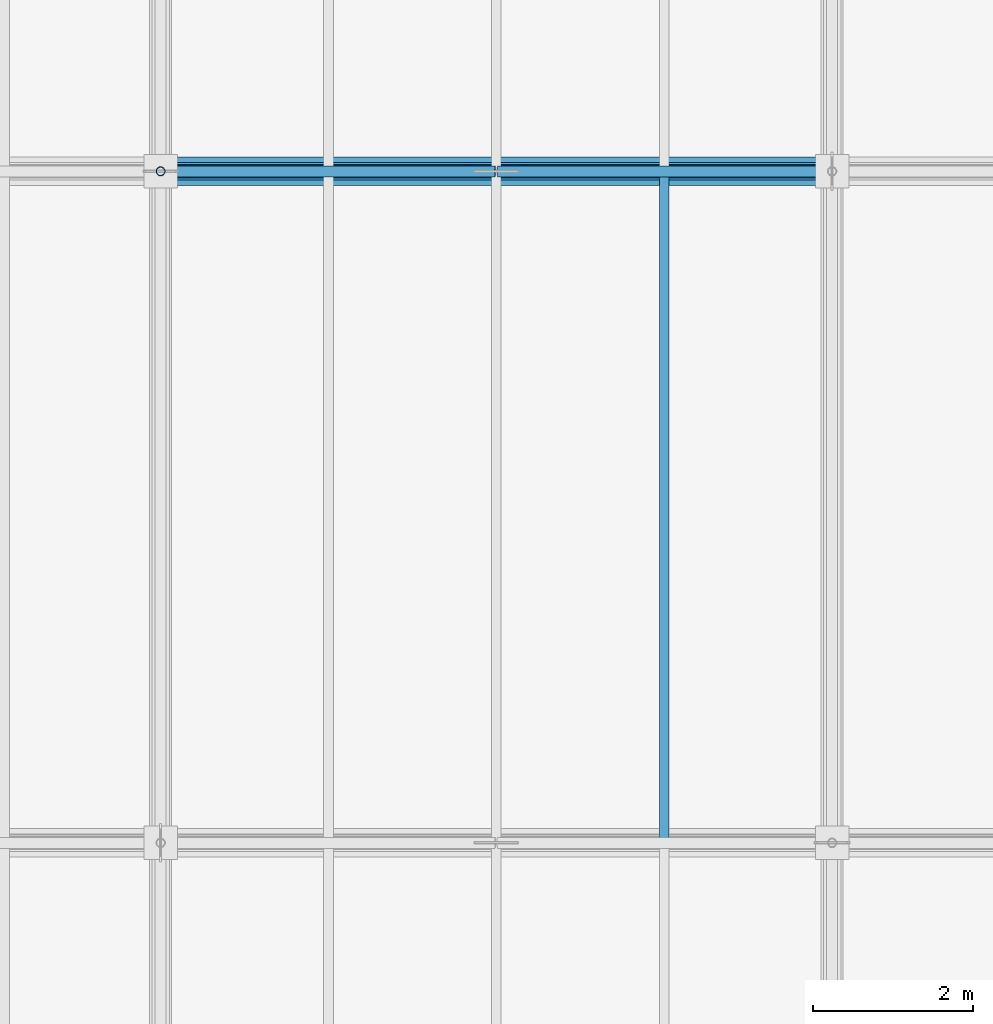
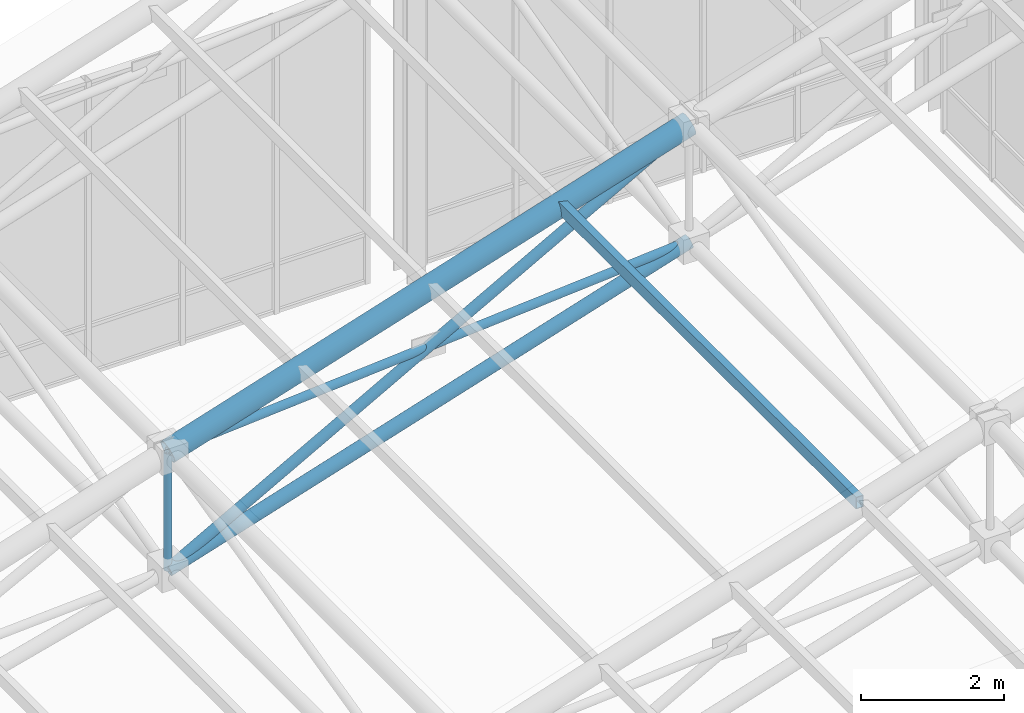
# One storey, part 62 of 144: 7 members.
"""IFC4 building model written with IfcOpenShell, lengths in metres."""

from ifc_helpers import new_model, si_unit, direction, frame, origin, origin_2d, place, context, subcontext, project, spatial, hollow_rectangle, hollow_circle, extrude, material, material_profile, profile_set, type_object, element, save


model = new_model("IFC4")

# Units and contexts
model_context = context("Model", 3, precision=1e-05, world=origin(), true_north=direction((0.0, 1.0)))
body_context = subcontext(model_context, "Body", "Model", "MODEL_VIEW")
ifc_project = project(units=[si_unit("LENGTHUNIT", "METRE"), si_unit("AREAUNIT", "SQUARE_METRE"), si_unit("VOLUMEUNIT", "CUBIC_METRE"), si_unit("PLANEANGLEUNIT", "RADIAN"), si_unit("MASSUNIT", "GRAM", prefix="KILO")], contexts=[model_context])

# Site, building, storey
site_placement = place(None, origin())
site = spatial("IfcSite", under=ifc_project, at=site_placement, CompositionType="ELEMENT")
building_placement = place(site_placement, origin())
building = spatial("IfcBuilding", under=site, at=building_placement, Name="Zayran Congress Hotel", CompositionType="ELEMENT")
storey_placement = place(building_placement, frame((0.0, 0.0, 19.199951171875)))
storey = spatial("IfcBuildingStorey", under=building, at=storey_placement, Name="L04", CompositionType="ELEMENT", Elevation=19.199951171875)

# Members
ifc_material = material(Name="Steel S355", Category="steel")
ifc_material_profile_1 = material_profile(ifc_material, hollow_circle(Radius=0.177734375, WallThickness=0.01611328125, at=origin_2d()), Name="CHS 355.6x16")
ifc_profile_set_1 = profile_set([ifc_material_profile_1], Name="Steel S355")
member_type_1 = type_object("IfcMemberType", Name="TP-SF-TC1", PredefinedType="CHORD", material=ifc_profile_set_1)
member_1_placement = place(storey_placement, frame((16.800048828125, 109.60009765625, 4.652099609375), z_axis=(0.953670596398, 0.0, 0.300852777228), x_axis=(0.0, 1.0, 0.0)))
element("IfcMember", 1, at=member_1_placement, inside=storey, type_object=member_type_1, Name="Space Frame Top Chord X 100", PredefinedType="CHORD", context=body_context, shape_type="SweptSolid", body=[
    extrude(hollow_circle(Radius=0.177734375, WallThickness=0.01611328125, at=origin_2d()), origin(), (0.0, 0.0, 1.0), 8.807861328125),
])
ifc_material_profile_2 = material_profile(ifc_material, hollow_circle(Radius=0.109619140625, WallThickness=0.010009765625, at=origin_2d()), Name="CHS 219.1x10")
ifc_profile_set_2 = profile_set([ifc_material_profile_2], Name="Steel S355")
member_type_2 = type_object("IfcMemberType", Name="TP-SF-BC1", PredefinedType="CHORD", material=ifc_profile_set_2)
member_2_placement = place(storey_placement, frame((16.800048828125, 109.60009765625, 2.650146484375), z_axis=(0.953670596398, 0.0, 0.300852777228), x_axis=(0.0, 1.0, 0.0)))
element("IfcMember", 2, at=member_2_placement, inside=storey, type_object=member_type_2, Name="Space Frame Bottom Chord X 101", PredefinedType="CHORD", context=body_context, shape_type="SweptSolid", body=[
    extrude(hollow_circle(Radius=0.109619140625, WallThickness=0.010009765625, at=origin_2d()), origin(), (0.0, 0.0, 1.0), 8.807861328125),
])
ifc_material_profile_3 = material_profile(ifc_material, hollow_circle(Radius=0.084228515625, WallThickness=0.008056640625, at=origin_2d()), Name="CHS 168.3x8")
ifc_profile_set_3 = profile_set([ifc_material_profile_3], Name="Steel S355")
member_type_3 = type_object("IfcMemberType", Name="TP-SF-DG1", PredefinedType="BRACE", material=ifc_profile_set_3)
member_3_placement = place(storey_placement, frame((16.800048828125, 109.60009765625, 2.650146484375), z_axis=(0.87480892947, 0.0, 0.484468096905), x_axis=(0.0, 1.0, 0.0)))
element("IfcMember", 3, at=member_3_placement, inside=storey, type_object=member_type_3, Name="Space Frame Web Diagonal X 102", PredefinedType="BRACE", context=body_context, shape_type="SweptSolid", body=[
    extrude(hollow_circle(Radius=0.084228515625, WallThickness=0.008056640625, at=origin_2d()), origin(), (0.0, 0.0, 1.0), 9.60205078125),
])
ifc_material_profile_4 = material_profile(ifc_material, hollow_circle(Radius=0.06982421875, WallThickness=0.00634765625, at=origin_2d()), Name="CHS 139.7x6.3")
ifc_profile_set_4 = profile_set([ifc_material_profile_4], Name="Steel S355")
member_type_4 = type_object("IfcMemberType", Name="TP-SF-DG2", PredefinedType="BRACE", material=ifc_profile_set_4)
for number, where, z_axis, x_axis, name in (
    (4, (16.800048828125, 109.60009765625, 4.652099609375), (0.997039412202, 0.0, 0.076892200614), (0.0, 1.0, 0.0), "Space Frame Counter Diagonal X Upper 103"),
    (5, (21.014892578125, 109.60009765625, 4.977294921875), (0.997039412202, 0.0, 0.076892200614), (0.0, 1.0, 0.0), "Space Frame Counter Diagonal X Lower 19"),
):
    element("IfcMember", number, at=place(storey_placement, frame(where, z_axis=z_axis, x_axis=x_axis)), inside=storey, type_object=member_type_4, Name=name, PredefinedType="BRACE", context=body_context, shape_type="SweptSolid", body=[
        extrude(hollow_circle(Radius=0.06982421875, WallThickness=0.00634765625, at=origin_2d()), origin(), (0.0, 0.0, 1.0), 4.197509765625),
    ])
ifc_material_profile_5 = material_profile(ifc_material, hollow_circle(Radius=0.05712890625, WallThickness=0.00634765625, at=origin_2d()), Name="CHS 114.3x6.3")
ifc_profile_set_5 = profile_set([ifc_material_profile_5], Name="Steel S355")
member_type_5 = type_object("IfcMemberType", Name="TP-SF-DG3", PredefinedType="BRACE", material=ifc_profile_set_5)
member_4_placement = place(storey_placement, frame((16.800048828125, 109.60009765625, 2.650146484375), z_axis=(0.0, 0.0, 1.0), x_axis=(0.0, 1.0, 0.0)))
element("IfcMember", 6, at=member_4_placement, inside=storey, type_object=member_type_5, Name="Space Frame Web Strut 107", PredefinedType="BRACE", context=body_context, shape_type="SweptSolid", body=[
    extrude(hollow_circle(Radius=0.05712890625, WallThickness=0.00634765625, at=origin_2d()), origin(), (0.0, 0.0, 1.0), 2.001953125),
])
ifc_material_profile_6 = material_profile(ifc_material, hollow_rectangle(XDim=0.1201171875, YDim=0.199951171875, WallThickness=0.008056640625, at=origin_2d()), Name="RHS 200x120x8")
ifc_profile_set_6 = profile_set([ifc_material_profile_6], Name="Steel S355")
member_type_6 = type_object("IfcMemberType", Name="TP-PR-01", PredefinedType="PURLIN", material=ifc_profile_set_6)
member_5_placement = place(storey_placement, frame((23.10009765625, 101.199951171875, 6.681640625), z_axis=(0.0, 1.0, 0.0), x_axis=(-1.0, 0.0, 0.0)))
element("IfcMember", 7, at=member_5_placement, inside=storey, type_object=member_type_6, Name="MEM-PR-V1-0035", PredefinedType="PURLIN", context=body_context, shape_type="SweptSolid", body=[
    extrude(hollow_rectangle(XDim=0.1201171875, YDim=0.199951171875, WallThickness=0.008056640625, at=origin_2d()), origin(), (0.0, 0.0, 1.0), 8.400146484375),
])

save(model, "model.ifc")
